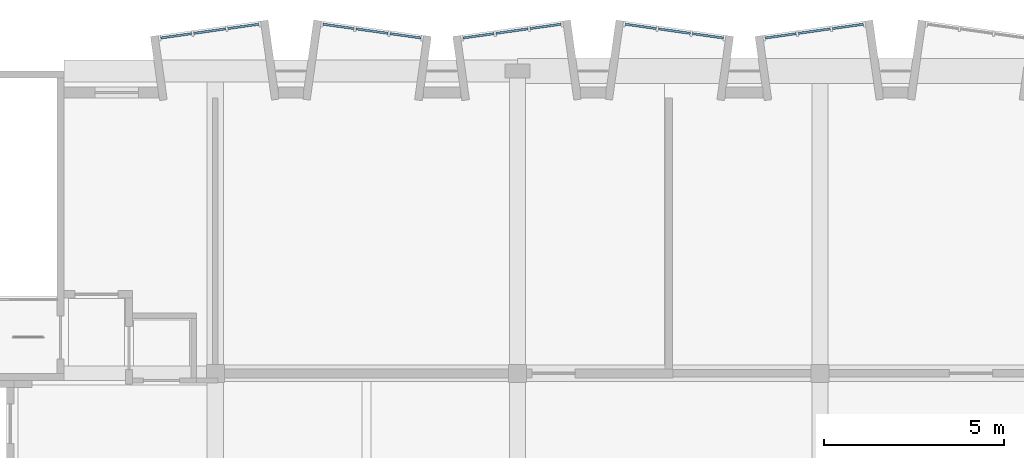
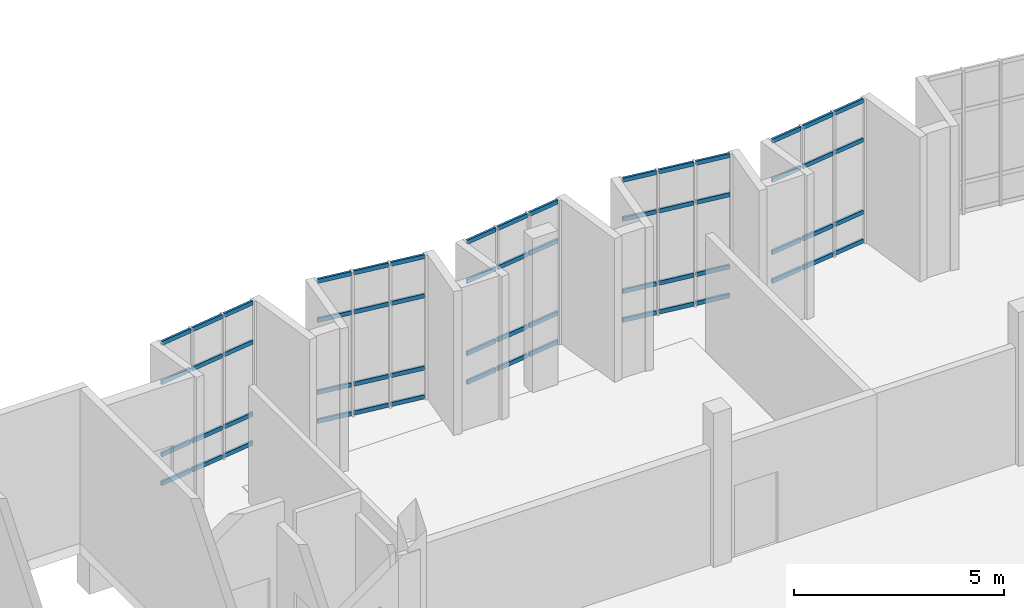
# One storey, part 6 of 15: 60 members, 5 elements without a shape of their own.
"""IFC4 building model written with IfcOpenShell, lengths in metres."""

from ifc_helpers import new_model, si_unit, direction, frame, origin, origin_2d, place, context, subcontext, project, spatial, rectangle, extrude, material, layer, layer_set, material_profile, profile_set, type_object, element, aggregate, save


model = new_model("IFC4")

# Units and contexts
model_context = context("Model", 3, precision=1e-05, world=origin(), true_north=direction((0.0, 1.0)))
body_context = subcontext(model_context, "Body", "Model", "MODEL_VIEW")
ifc_project = project(units=[si_unit("LENGTHUNIT", "METRE"), si_unit("AREAUNIT", "SQUARE_METRE"), si_unit("VOLUMEUNIT", "CUBIC_METRE"), si_unit("PLANEANGLEUNIT", "RADIAN"), si_unit("MASSUNIT", "GRAM", prefix="KILO")], contexts=[model_context])

# Site, building, storey
site_placement = place(None, origin())
site = spatial("IfcSite", under=ifc_project, at=site_placement, CompositionType="ELEMENT")
building_placement = place(site_placement, origin())
building = spatial("IfcBuilding", under=site, at=building_placement, Name="Kiln Court Media Centre", CompositionType="ELEMENT")
storey_placement = place(building_placement, frame((0.0, 0.0, 38.10009765625)))
storey = spatial("IfcBuildingStorey", under=building, at=storey_placement, Name="L08", CompositionType="ELEMENT", Elevation=38.10009765625)

# Curtain wall, members
ifc_material_1 = material(Name="Aluminium 6063-T6", Category="aluminium")
ifc_layer = layer(ifc_material_1, 0.1201171875)
ifc_layer_set = layer_set([ifc_layer], Name="Aluminium unitised bay curtain wall")
curtain_wall_type = type_object("IfcCurtainWallType", Name="Aluminium unitised bay curtain wall", PredefinedType="USERDEFINED", material=ifc_layer_set)
curtain_wall_1_placement = place(storey_placement, origin())
curtain_wall_1 = element("IfcCurtainWall", 1, at=curtain_wall_1_placement, inside=storey, type_object=curtain_wall_type, Name="BAY V6A-N-L08-53 front", ObjectType="UNITISED CURTAIN WALL", PredefinedType="USERDEFINED")
ifc_material_2 = material(Name="Aluminium 6063-T6", Category="aluminium")
ifc_material_profile = material_profile(ifc_material_2, rectangle(XDim=0.06005859375, YDim=0.1201171875, at=origin_2d()), Name="Aluminium transom 60x120")
ifc_profile_set = profile_set([ifc_material_profile], Name="Aluminium 6063-T6")
member_type = type_object("IfcMemberType", Name="Aluminium transom 60x120", PredefinedType="USERDEFINED", material=ifc_profile_set)
member_1_placement = place(storey_placement, frame((6.882568359375, 26.11767578125, 0.059814453125), z_axis=(0.990268108888, 0.139172815303, 0.0), x_axis=(-0.139172815303, 0.990268108888, 0.0)))
member_1 = element("IfcMember", 2, at=member_1_placement, type_object=member_type, Name="CW8-04 transom 1.1", ObjectType="TRANSOM", PredefinedType="USERDEFINED", context=body_context, shape_type="SweptSolid", body=[
    extrude(rectangle(XDim=0.06005859375, YDim=0.1201171875, at=origin_2d()), origin(), (0.0, 0.0, 1.0), 0.86669921875),
])
member_2_placement = place(storey_placement, frame((6.882568359375, 26.11767578125, 0.89990234375), z_axis=(0.990268108888, 0.139172815303, 0.0), x_axis=(-0.139172815303, 0.990268108888, 0.0)))
member_2 = element("IfcMember", 3, at=member_2_placement, type_object=member_type, Name="CW8-04 transom 1.2", ObjectType="TRANSOM", PredefinedType="USERDEFINED", context=body_context, shape_type="SweptSolid", body=[
    extrude(rectangle(XDim=0.06005859375, YDim=0.1201171875, at=origin_2d()), origin(), (0.0, 0.0, 1.0), 0.86669921875),
])
member_3_placement = place(storey_placement, frame((6.882568359375, 26.11767578125, 3.0), z_axis=(0.990268108888, 0.139172815303, 0.0), x_axis=(-0.139172815303, 0.990268108888, 0.0)))
member_3 = element("IfcMember", 4, at=member_3_placement, type_object=member_type, Name="CW8-04 transom 1.3", ObjectType="TRANSOM", PredefinedType="USERDEFINED", context=body_context, shape_type="SweptSolid", body=[
    extrude(rectangle(XDim=0.06005859375, YDim=0.1201171875, at=origin_2d()), origin(), (0.0, 0.0, 1.0), 0.86669921875),
])
member_4_placement = place(storey_placement, frame((6.882568359375, 26.11767578125, 4.139892578125), z_axis=(0.990268108888, 0.139172815303, 0.0), x_axis=(-0.139172815303, 0.990268108888, 0.0)))
member_4 = element("IfcMember", 5, at=member_4_placement, type_object=member_type, Name="CW8-04 transom 1.4", ObjectType="TRANSOM", PredefinedType="USERDEFINED", context=body_context, shape_type="SweptSolid", body=[
    extrude(rectangle(XDim=0.06005859375, YDim=0.1201171875, at=origin_2d()), origin(), (0.0, 0.0, 1.0), 0.86669921875),
])
member_5_placement = place(storey_placement, frame((7.80029296875, 26.246826171875, 0.059814453125), z_axis=(0.990273584723, 0.13913384707, 0.0), x_axis=(-0.13913384707, 0.990273584723, 0.0)))
member_5 = element("IfcMember", 6, at=member_5_placement, type_object=member_type, Name="CW8-04 transom 2.1", ObjectType="TRANSOM", PredefinedType="USERDEFINED", context=body_context, shape_type="SweptSolid", body=[
    extrude(rectangle(XDim=0.06005859375, YDim=0.1201171875, at=origin_2d()), origin(), (0.0, 0.0, 1.0), 0.896728515625),
])
member_6_placement = place(storey_placement, frame((7.80029296875, 26.246826171875, 0.89990234375), z_axis=(0.990273584723, 0.13913384707, 0.0), x_axis=(-0.13913384707, 0.990273584723, 0.0)))
member_6 = element("IfcMember", 7, at=member_6_placement, type_object=member_type, Name="CW8-04 transom 2.2", ObjectType="TRANSOM", PredefinedType="USERDEFINED", context=body_context, shape_type="SweptSolid", body=[
    extrude(rectangle(XDim=0.06005859375, YDim=0.1201171875, at=origin_2d()), origin(), (0.0, 0.0, 1.0), 0.896728515625),
])
member_7_placement = place(storey_placement, frame((7.80029296875, 26.246826171875, 3.0), z_axis=(0.990273584723, 0.13913384707, 0.0), x_axis=(-0.13913384707, 0.990273584723, 0.0)))
member_7 = element("IfcMember", 8, at=member_7_placement, type_object=member_type, Name="CW8-04 transom 2.3", ObjectType="TRANSOM", PredefinedType="USERDEFINED", context=body_context, shape_type="SweptSolid", body=[
    extrude(rectangle(XDim=0.06005859375, YDim=0.1201171875, at=origin_2d()), origin(), (0.0, 0.0, 1.0), 0.896728515625),
])
member_8_placement = place(storey_placement, frame((7.80029296875, 26.246826171875, 4.139892578125), z_axis=(0.990273584723, 0.13913384707, 0.0), x_axis=(-0.13913384707, 0.990273584723, 0.0)))
member_8 = element("IfcMember", 9, at=member_8_placement, type_object=member_type, Name="CW8-04 transom 2.4", ObjectType="TRANSOM", PredefinedType="USERDEFINED", context=body_context, shape_type="SweptSolid", body=[
    extrude(rectangle(XDim=0.06005859375, YDim=0.1201171875, at=origin_2d()), origin(), (0.0, 0.0, 1.0), 0.896728515625),
])
member_9_placement = place(storey_placement, frame((8.74755859375, 26.3798828125, 0.059814453125), z_axis=(0.990268108888, 0.139172815303, 0.0), x_axis=(-0.139172815303, 0.990268108888, 0.0)))
member_9 = element("IfcMember", 10, at=member_9_placement, type_object=member_type, Name="CW8-04 transom 3.1", ObjectType="TRANSOM", PredefinedType="USERDEFINED", context=body_context, shape_type="SweptSolid", body=[
    extrude(rectangle(XDim=0.06005859375, YDim=0.1201171875, at=origin_2d()), origin(), (0.0, 0.0, 1.0), 0.86669921875),
])
member_10_placement = place(storey_placement, frame((8.74755859375, 26.3798828125, 0.89990234375), z_axis=(0.990268108888, 0.139172815303, 0.0), x_axis=(-0.139172815303, 0.990268108888, 0.0)))
member_10 = element("IfcMember", 11, at=member_10_placement, type_object=member_type, Name="CW8-04 transom 3.2", ObjectType="TRANSOM", PredefinedType="USERDEFINED", context=body_context, shape_type="SweptSolid", body=[
    extrude(rectangle(XDim=0.06005859375, YDim=0.1201171875, at=origin_2d()), origin(), (0.0, 0.0, 1.0), 0.86669921875),
])
member_11_placement = place(storey_placement, frame((8.74755859375, 26.3798828125, 3.0), z_axis=(0.990268108888, 0.139172815303, 0.0), x_axis=(-0.139172815303, 0.990268108888, 0.0)))
member_11 = element("IfcMember", 12, at=member_11_placement, type_object=member_type, Name="CW8-04 transom 3.3", ObjectType="TRANSOM", PredefinedType="USERDEFINED", context=body_context, shape_type="SweptSolid", body=[
    extrude(rectangle(XDim=0.06005859375, YDim=0.1201171875, at=origin_2d()), origin(), (0.0, 0.0, 1.0), 0.86669921875),
])
member_12_placement = place(storey_placement, frame((8.74755859375, 26.3798828125, 4.139892578125), z_axis=(0.990268108888, 0.139172815303, 0.0), x_axis=(-0.139172815303, 0.990268108888, 0.0)))
member_12 = element("IfcMember", 13, at=member_12_placement, type_object=member_type, Name="CW8-04 transom 3.4", ObjectType="TRANSOM", PredefinedType="USERDEFINED", context=body_context, shape_type="SweptSolid", body=[
    extrude(rectangle(XDim=0.06005859375, YDim=0.1201171875, at=origin_2d()), origin(), (0.0, 0.0, 1.0), 0.86669921875),
])
aggregate(curtain_wall_1, [member_1, member_2, member_3, member_4, member_5, member_6, member_7, member_8, member_9, member_10, member_11, member_12])

curtain_wall_2_placement = place(storey_placement, origin())
curtain_wall_2 = element("IfcCurtainWall", 14, at=curtain_wall_2_placement, inside=storey, type_object=curtain_wall_type, Name="BAY V6A-N-L08-54 front", ObjectType="UNITISED CURTAIN WALL", PredefinedType="USERDEFINED")
member_13_placement = place(storey_placement, frame((11.394287109375, 26.50048828125, 0.059814453125), z_axis=(0.990268108888, -0.139172815303, 0.0), x_axis=(0.139172815303, 0.990268108888, 0.0)))
member_13 = element("IfcMember", 15, at=member_13_placement, type_object=member_type, Name="CW8-05 transom 1.1", ObjectType="TRANSOM", PredefinedType="USERDEFINED", context=body_context, shape_type="SweptSolid", body=[
    extrude(rectangle(XDim=0.06005859375, YDim=0.1201171875, at=origin_2d()), origin(), (0.0, 0.0, 1.0), 0.86669921875),
])
member_14_placement = place(storey_placement, frame((11.394287109375, 26.50048828125, 0.89990234375), z_axis=(0.990268108888, -0.139172815303, 0.0), x_axis=(0.139172815303, 0.990268108888, 0.0)))
member_14 = element("IfcMember", 16, at=member_14_placement, type_object=member_type, Name="CW8-05 transom 1.2", ObjectType="TRANSOM", PredefinedType="USERDEFINED", context=body_context, shape_type="SweptSolid", body=[
    extrude(rectangle(XDim=0.06005859375, YDim=0.1201171875, at=origin_2d()), origin(), (0.0, 0.0, 1.0), 0.86669921875),
])
member_15_placement = place(storey_placement, frame((11.394287109375, 26.50048828125, 3.0), z_axis=(0.990268108888, -0.139172815303, 0.0), x_axis=(0.139172815303, 0.990268108888, 0.0)))
member_15 = element("IfcMember", 17, at=member_15_placement, type_object=member_type, Name="CW8-05 transom 1.3", ObjectType="TRANSOM", PredefinedType="USERDEFINED", context=body_context, shape_type="SweptSolid", body=[
    extrude(rectangle(XDim=0.06005859375, YDim=0.1201171875, at=origin_2d()), origin(), (0.0, 0.0, 1.0), 0.86669921875),
])
member_16_placement = place(storey_placement, frame((11.394287109375, 26.50048828125, 4.139892578125), z_axis=(0.990268108888, -0.139172815303, 0.0), x_axis=(0.139172815303, 0.990268108888, 0.0)))
member_16 = element("IfcMember", 18, at=member_16_placement, type_object=member_type, Name="CW8-05 transom 1.4", ObjectType="TRANSOM", PredefinedType="USERDEFINED", context=body_context, shape_type="SweptSolid", body=[
    extrude(rectangle(XDim=0.06005859375, YDim=0.1201171875, at=origin_2d()), origin(), (0.0, 0.0, 1.0), 0.86669921875),
])
member_17_placement = place(storey_placement, frame((12.311767578125, 26.37158203125, 0.059814453125), z_axis=(0.990273584723, -0.13913384707, 0.0), x_axis=(0.13913384707, 0.990273584723, 0.0)))
member_17 = element("IfcMember", 19, at=member_17_placement, type_object=member_type, Name="CW8-05 transom 2.1", ObjectType="TRANSOM", PredefinedType="USERDEFINED", context=body_context, shape_type="SweptSolid", body=[
    extrude(rectangle(XDim=0.06005859375, YDim=0.1201171875, at=origin_2d()), origin(), (0.0, 0.0, 1.0), 0.896728515625),
])
member_18_placement = place(storey_placement, frame((12.311767578125, 26.37158203125, 0.89990234375), z_axis=(0.990273584723, -0.13913384707, 0.0), x_axis=(0.13913384707, 0.990273584723, 0.0)))
member_18 = element("IfcMember", 20, at=member_18_placement, type_object=member_type, Name="CW8-05 transom 2.2", ObjectType="TRANSOM", PredefinedType="USERDEFINED", context=body_context, shape_type="SweptSolid", body=[
    extrude(rectangle(XDim=0.06005859375, YDim=0.1201171875, at=origin_2d()), origin(), (0.0, 0.0, 1.0), 0.896728515625),
])
member_19_placement = place(storey_placement, frame((12.311767578125, 26.37158203125, 3.0), z_axis=(0.990273584723, -0.13913384707, 0.0), x_axis=(0.13913384707, 0.990273584723, 0.0)))
member_19 = element("IfcMember", 21, at=member_19_placement, type_object=member_type, Name="CW8-05 transom 2.3", ObjectType="TRANSOM", PredefinedType="USERDEFINED", context=body_context, shape_type="SweptSolid", body=[
    extrude(rectangle(XDim=0.06005859375, YDim=0.1201171875, at=origin_2d()), origin(), (0.0, 0.0, 1.0), 0.896728515625),
])
member_20_placement = place(storey_placement, frame((12.311767578125, 26.37158203125, 4.139892578125), z_axis=(0.990273584723, -0.13913384707, 0.0), x_axis=(0.13913384707, 0.990273584723, 0.0)))
member_20 = element("IfcMember", 22, at=member_20_placement, type_object=member_type, Name="CW8-05 transom 2.4", ObjectType="TRANSOM", PredefinedType="USERDEFINED", context=body_context, shape_type="SweptSolid", body=[
    extrude(rectangle(XDim=0.06005859375, YDim=0.1201171875, at=origin_2d()), origin(), (0.0, 0.0, 1.0), 0.896728515625),
])
member_21_placement = place(storey_placement, frame((13.25927734375, 26.23828125, 0.059814453125), z_axis=(0.990268108888, -0.139172815303, 0.0), x_axis=(0.139172815303, 0.990268108888, 0.0)))
member_21 = element("IfcMember", 23, at=member_21_placement, type_object=member_type, Name="CW8-05 transom 3.1", ObjectType="TRANSOM", PredefinedType="USERDEFINED", context=body_context, shape_type="SweptSolid", body=[
    extrude(rectangle(XDim=0.06005859375, YDim=0.1201171875, at=origin_2d()), origin(), (0.0, 0.0, 1.0), 0.86669921875),
])
member_22_placement = place(storey_placement, frame((13.25927734375, 26.23828125, 0.89990234375), z_axis=(0.990268108888, -0.139172815303, 0.0), x_axis=(0.139172815303, 0.990268108888, 0.0)))
member_22 = element("IfcMember", 24, at=member_22_placement, type_object=member_type, Name="CW8-05 transom 3.2", ObjectType="TRANSOM", PredefinedType="USERDEFINED", context=body_context, shape_type="SweptSolid", body=[
    extrude(rectangle(XDim=0.06005859375, YDim=0.1201171875, at=origin_2d()), origin(), (0.0, 0.0, 1.0), 0.86669921875),
])
member_23_placement = place(storey_placement, frame((13.25927734375, 26.23828125, 3.0), z_axis=(0.990268108888, -0.139172815303, 0.0), x_axis=(0.139172815303, 0.990268108888, 0.0)))
member_23 = element("IfcMember", 25, at=member_23_placement, type_object=member_type, Name="CW8-05 transom 3.3", ObjectType="TRANSOM", PredefinedType="USERDEFINED", context=body_context, shape_type="SweptSolid", body=[
    extrude(rectangle(XDim=0.06005859375, YDim=0.1201171875, at=origin_2d()), origin(), (0.0, 0.0, 1.0), 0.86669921875),
])
member_24_placement = place(storey_placement, frame((13.25927734375, 26.23828125, 4.139892578125), z_axis=(0.990268108888, -0.139172815303, 0.0), x_axis=(0.139172815303, 0.990268108888, 0.0)))
member_24 = element("IfcMember", 26, at=member_24_placement, type_object=member_type, Name="CW8-05 transom 3.4", ObjectType="TRANSOM", PredefinedType="USERDEFINED", context=body_context, shape_type="SweptSolid", body=[
    extrude(rectangle(XDim=0.06005859375, YDim=0.1201171875, at=origin_2d()), origin(), (0.0, 0.0, 1.0), 0.86669921875),
])
aggregate(curtain_wall_2, [member_13, member_14, member_15, member_16, member_17, member_18, member_19, member_20, member_21, member_22, member_23, member_24])

curtain_wall_3_placement = place(storey_placement, origin())
curtain_wall_3 = element("IfcCurtainWall", 27, at=curtain_wall_3_placement, inside=storey, type_object=curtain_wall_type, Name="BAY V6A-N-L08-55 front", ObjectType="UNITISED CURTAIN WALL", PredefinedType="USERDEFINED")
member_25_placement = place(storey_placement, frame((15.282470703125, 26.11767578125, 0.059814453125), z_axis=(0.990273563383, 0.139133998951, 0.0), x_axis=(-0.139133998951, 0.990273563383, 0.0)))
member_25 = element("IfcMember", 28, at=member_25_placement, type_object=member_type, Name="CW8-06 transom 1.1", ObjectType="TRANSOM", PredefinedType="USERDEFINED", context=body_context, shape_type="SweptSolid", body=[
    extrude(rectangle(XDim=0.06005859375, YDim=0.1201171875, at=origin_2d()), origin(), (0.0, 0.0, 1.0), 0.866943359375),
])
member_26_placement = place(storey_placement, frame((15.282470703125, 26.11767578125, 0.89990234375), z_axis=(0.990273563383, 0.139133998951, 0.0), x_axis=(-0.139133998951, 0.990273563383, 0.0)))
member_26 = element("IfcMember", 29, at=member_26_placement, type_object=member_type, Name="CW8-06 transom 1.2", ObjectType="TRANSOM", PredefinedType="USERDEFINED", context=body_context, shape_type="SweptSolid", body=[
    extrude(rectangle(XDim=0.06005859375, YDim=0.1201171875, at=origin_2d()), origin(), (0.0, 0.0, 1.0), 0.866943359375),
])
member_27_placement = place(storey_placement, frame((15.282470703125, 26.11767578125, 3.0), z_axis=(0.990273563383, 0.139133998951, 0.0), x_axis=(-0.139133998951, 0.990273563383, 0.0)))
member_27 = element("IfcMember", 30, at=member_27_placement, type_object=member_type, Name="CW8-06 transom 1.3", ObjectType="TRANSOM", PredefinedType="USERDEFINED", context=body_context, shape_type="SweptSolid", body=[
    extrude(rectangle(XDim=0.06005859375, YDim=0.1201171875, at=origin_2d()), origin(), (0.0, 0.0, 1.0), 0.866943359375),
])
member_28_placement = place(storey_placement, frame((15.282470703125, 26.11767578125, 4.139892578125), z_axis=(0.990273563383, 0.139133998951, 0.0), x_axis=(-0.139133998951, 0.990273563383, 0.0)))
member_28 = element("IfcMember", 31, at=member_28_placement, type_object=member_type, Name="CW8-06 transom 1.4", ObjectType="TRANSOM", PredefinedType="USERDEFINED", context=body_context, shape_type="SweptSolid", body=[
    extrude(rectangle(XDim=0.06005859375, YDim=0.1201171875, at=origin_2d()), origin(), (0.0, 0.0, 1.0), 0.866943359375),
])
member_29_placement = place(storey_placement, frame((16.2001953125, 26.246826171875, 0.059814453125), z_axis=(0.990273584723, 0.13913384707, 0.0), x_axis=(-0.13913384707, 0.990273584723, 0.0)))
member_29 = element("IfcMember", 32, at=member_29_placement, type_object=member_type, Name="CW8-06 transom 2.1", ObjectType="TRANSOM", PredefinedType="USERDEFINED", context=body_context, shape_type="SweptSolid", body=[
    extrude(rectangle(XDim=0.06005859375, YDim=0.1201171875, at=origin_2d()), origin(), (0.0, 0.0, 1.0), 0.896728515625),
])
member_30_placement = place(storey_placement, frame((16.2001953125, 26.246826171875, 0.89990234375), z_axis=(0.990273584723, 0.13913384707, 0.0), x_axis=(-0.13913384707, 0.990273584723, 0.0)))
member_30 = element("IfcMember", 33, at=member_30_placement, type_object=member_type, Name="CW8-06 transom 2.2", ObjectType="TRANSOM", PredefinedType="USERDEFINED", context=body_context, shape_type="SweptSolid", body=[
    extrude(rectangle(XDim=0.06005859375, YDim=0.1201171875, at=origin_2d()), origin(), (0.0, 0.0, 1.0), 0.896728515625),
])
member_31_placement = place(storey_placement, frame((16.2001953125, 26.246826171875, 3.0), z_axis=(0.990273584723, 0.13913384707, 0.0), x_axis=(-0.13913384707, 0.990273584723, 0.0)))
member_31 = element("IfcMember", 34, at=member_31_placement, type_object=member_type, Name="CW8-06 transom 2.3", ObjectType="TRANSOM", PredefinedType="USERDEFINED", context=body_context, shape_type="SweptSolid", body=[
    extrude(rectangle(XDim=0.06005859375, YDim=0.1201171875, at=origin_2d()), origin(), (0.0, 0.0, 1.0), 0.896728515625),
])
member_32_placement = place(storey_placement, frame((16.2001953125, 26.246826171875, 4.139892578125), z_axis=(0.990273584723, 0.13913384707, 0.0), x_axis=(-0.13913384707, 0.990273584723, 0.0)))
member_32 = element("IfcMember", 35, at=member_32_placement, type_object=member_type, Name="CW8-06 transom 2.4", ObjectType="TRANSOM", PredefinedType="USERDEFINED", context=body_context, shape_type="SweptSolid", body=[
    extrude(rectangle(XDim=0.06005859375, YDim=0.1201171875, at=origin_2d()), origin(), (0.0, 0.0, 1.0), 0.896728515625),
])
member_33_placement = place(storey_placement, frame((17.1474609375, 26.3798828125, 0.059814453125), z_axis=(0.990273563383, 0.139133998951, 0.0), x_axis=(-0.139133998951, 0.990273563383, 0.0)))
member_33 = element("IfcMember", 36, at=member_33_placement, type_object=member_type, Name="CW8-06 transom 3.1", ObjectType="TRANSOM", PredefinedType="USERDEFINED", context=body_context, shape_type="SweptSolid", body=[
    extrude(rectangle(XDim=0.06005859375, YDim=0.1201171875, at=origin_2d()), origin(), (0.0, 0.0, 1.0), 0.866943359375),
])
member_34_placement = place(storey_placement, frame((17.1474609375, 26.3798828125, 0.89990234375), z_axis=(0.990273563383, 0.139133998951, 0.0), x_axis=(-0.139133998951, 0.990273563383, 0.0)))
member_34 = element("IfcMember", 37, at=member_34_placement, type_object=member_type, Name="CW8-06 transom 3.2", ObjectType="TRANSOM", PredefinedType="USERDEFINED", context=body_context, shape_type="SweptSolid", body=[
    extrude(rectangle(XDim=0.06005859375, YDim=0.1201171875, at=origin_2d()), origin(), (0.0, 0.0, 1.0), 0.866943359375),
])
member_35_placement = place(storey_placement, frame((17.1474609375, 26.3798828125, 3.0), z_axis=(0.990273563383, 0.139133998951, 0.0), x_axis=(-0.139133998951, 0.990273563383, 0.0)))
member_35 = element("IfcMember", 38, at=member_35_placement, type_object=member_type, Name="CW8-06 transom 3.3", ObjectType="TRANSOM", PredefinedType="USERDEFINED", context=body_context, shape_type="SweptSolid", body=[
    extrude(rectangle(XDim=0.06005859375, YDim=0.1201171875, at=origin_2d()), origin(), (0.0, 0.0, 1.0), 0.866943359375),
])
member_36_placement = place(storey_placement, frame((17.1474609375, 26.3798828125, 4.139892578125), z_axis=(0.990273563383, 0.139133998951, 0.0), x_axis=(-0.139133998951, 0.990273563383, 0.0)))
member_36 = element("IfcMember", 39, at=member_36_placement, type_object=member_type, Name="CW8-06 transom 3.4", ObjectType="TRANSOM", PredefinedType="USERDEFINED", context=body_context, shape_type="SweptSolid", body=[
    extrude(rectangle(XDim=0.06005859375, YDim=0.1201171875, at=origin_2d()), origin(), (0.0, 0.0, 1.0), 0.866943359375),
])
aggregate(curtain_wall_3, [member_25, member_26, member_27, member_28, member_29, member_30, member_31, member_32, member_33, member_34, member_35, member_36])

curtain_wall_4_placement = place(storey_placement, origin())
curtain_wall_4 = element("IfcCurtainWall", 40, at=curtain_wall_4_placement, inside=storey, type_object=curtain_wall_type, Name="BAY V6A-N-L08-56 front", ObjectType="UNITISED CURTAIN WALL", PredefinedType="USERDEFINED")
member_37_placement = place(storey_placement, frame((19.794189453125, 26.50048828125, 0.059814453125), z_axis=(0.990268108888, -0.139172815303, 0.0), x_axis=(0.139172815303, 0.990268108888, 0.0)))
member_37 = element("IfcMember", 41, at=member_37_placement, type_object=member_type, Name="CW8-07 transom 1.1", ObjectType="TRANSOM", PredefinedType="USERDEFINED", context=body_context, shape_type="SweptSolid", body=[
    extrude(rectangle(XDim=0.06005859375, YDim=0.1201171875, at=origin_2d()), origin(), (0.0, 0.0, 1.0), 0.86669921875),
])
member_38_placement = place(storey_placement, frame((19.794189453125, 26.50048828125, 0.89990234375), z_axis=(0.990268108888, -0.139172815303, 0.0), x_axis=(0.139172815303, 0.990268108888, 0.0)))
member_38 = element("IfcMember", 42, at=member_38_placement, type_object=member_type, Name="CW8-07 transom 1.2", ObjectType="TRANSOM", PredefinedType="USERDEFINED", context=body_context, shape_type="SweptSolid", body=[
    extrude(rectangle(XDim=0.06005859375, YDim=0.1201171875, at=origin_2d()), origin(), (0.0, 0.0, 1.0), 0.86669921875),
])
member_39_placement = place(storey_placement, frame((19.794189453125, 26.50048828125, 3.0), z_axis=(0.990268108888, -0.139172815303, 0.0), x_axis=(0.139172815303, 0.990268108888, 0.0)))
member_39 = element("IfcMember", 43, at=member_39_placement, type_object=member_type, Name="CW8-07 transom 1.3", ObjectType="TRANSOM", PredefinedType="USERDEFINED", context=body_context, shape_type="SweptSolid", body=[
    extrude(rectangle(XDim=0.06005859375, YDim=0.1201171875, at=origin_2d()), origin(), (0.0, 0.0, 1.0), 0.86669921875),
])
member_40_placement = place(storey_placement, frame((19.794189453125, 26.50048828125, 4.139892578125), z_axis=(0.990268108888, -0.139172815303, 0.0), x_axis=(0.139172815303, 0.990268108888, 0.0)))
member_40 = element("IfcMember", 44, at=member_40_placement, type_object=member_type, Name="CW8-07 transom 1.4", ObjectType="TRANSOM", PredefinedType="USERDEFINED", context=body_context, shape_type="SweptSolid", body=[
    extrude(rectangle(XDim=0.06005859375, YDim=0.1201171875, at=origin_2d()), origin(), (0.0, 0.0, 1.0), 0.86669921875),
])
member_41_placement = place(storey_placement, frame((20.7119140625, 26.37158203125, 0.059814453125), z_axis=(0.990273584723, -0.13913384707, 0.0), x_axis=(0.13913384707, 0.990273584723, 0.0)))
member_41 = element("IfcMember", 45, at=member_41_placement, type_object=member_type, Name="CW8-07 transom 2.1", ObjectType="TRANSOM", PredefinedType="USERDEFINED", context=body_context, shape_type="SweptSolid", body=[
    extrude(rectangle(XDim=0.06005859375, YDim=0.1201171875, at=origin_2d()), origin(), (0.0, 0.0, 1.0), 0.896728515625),
])
member_42_placement = place(storey_placement, frame((20.7119140625, 26.37158203125, 0.89990234375), z_axis=(0.990273584723, -0.13913384707, 0.0), x_axis=(0.13913384707, 0.990273584723, 0.0)))
member_42 = element("IfcMember", 46, at=member_42_placement, type_object=member_type, Name="CW8-07 transom 2.2", ObjectType="TRANSOM", PredefinedType="USERDEFINED", context=body_context, shape_type="SweptSolid", body=[
    extrude(rectangle(XDim=0.06005859375, YDim=0.1201171875, at=origin_2d()), origin(), (0.0, 0.0, 1.0), 0.896728515625),
])
member_43_placement = place(storey_placement, frame((20.7119140625, 26.37158203125, 3.0), z_axis=(0.990273584723, -0.13913384707, 0.0), x_axis=(0.13913384707, 0.990273584723, 0.0)))
member_43 = element("IfcMember", 47, at=member_43_placement, type_object=member_type, Name="CW8-07 transom 2.3", ObjectType="TRANSOM", PredefinedType="USERDEFINED", context=body_context, shape_type="SweptSolid", body=[
    extrude(rectangle(XDim=0.06005859375, YDim=0.1201171875, at=origin_2d()), origin(), (0.0, 0.0, 1.0), 0.896728515625),
])
member_44_placement = place(storey_placement, frame((20.7119140625, 26.37158203125, 4.139892578125), z_axis=(0.990273584723, -0.13913384707, 0.0), x_axis=(0.13913384707, 0.990273584723, 0.0)))
member_44 = element("IfcMember", 48, at=member_44_placement, type_object=member_type, Name="CW8-07 transom 2.4", ObjectType="TRANSOM", PredefinedType="USERDEFINED", context=body_context, shape_type="SweptSolid", body=[
    extrude(rectangle(XDim=0.06005859375, YDim=0.1201171875, at=origin_2d()), origin(), (0.0, 0.0, 1.0), 0.896728515625),
])
member_45_placement = place(storey_placement, frame((21.6591796875, 26.23828125, 0.059814453125), z_axis=(0.990273563383, -0.139133998951, 0.0), x_axis=(0.139133998951, 0.990273563383, 0.0)))
member_45 = element("IfcMember", 49, at=member_45_placement, type_object=member_type, Name="CW8-07 transom 3.1", ObjectType="TRANSOM", PredefinedType="USERDEFINED", context=body_context, shape_type="SweptSolid", body=[
    extrude(rectangle(XDim=0.06005859375, YDim=0.1201171875, at=origin_2d()), origin(), (0.0, 0.0, 1.0), 0.866943359375),
])
member_46_placement = place(storey_placement, frame((21.6591796875, 26.23828125, 0.89990234375), z_axis=(0.990273563383, -0.139133998951, 0.0), x_axis=(0.139133998951, 0.990273563383, 0.0)))
member_46 = element("IfcMember", 50, at=member_46_placement, type_object=member_type, Name="CW8-07 transom 3.2", ObjectType="TRANSOM", PredefinedType="USERDEFINED", context=body_context, shape_type="SweptSolid", body=[
    extrude(rectangle(XDim=0.06005859375, YDim=0.1201171875, at=origin_2d()), origin(), (0.0, 0.0, 1.0), 0.866943359375),
])
member_47_placement = place(storey_placement, frame((21.6591796875, 26.23828125, 3.0), z_axis=(0.990273563383, -0.139133998951, 0.0), x_axis=(0.139133998951, 0.990273563383, 0.0)))
member_47 = element("IfcMember", 51, at=member_47_placement, type_object=member_type, Name="CW8-07 transom 3.3", ObjectType="TRANSOM", PredefinedType="USERDEFINED", context=body_context, shape_type="SweptSolid", body=[
    extrude(rectangle(XDim=0.06005859375, YDim=0.1201171875, at=origin_2d()), origin(), (0.0, 0.0, 1.0), 0.866943359375),
])
member_48_placement = place(storey_placement, frame((21.6591796875, 26.23828125, 4.139892578125), z_axis=(0.990273563383, -0.139133998951, 0.0), x_axis=(0.139133998951, 0.990273563383, 0.0)))
member_48 = element("IfcMember", 52, at=member_48_placement, type_object=member_type, Name="CW8-07 transom 3.4", ObjectType="TRANSOM", PredefinedType="USERDEFINED", context=body_context, shape_type="SweptSolid", body=[
    extrude(rectangle(XDim=0.06005859375, YDim=0.1201171875, at=origin_2d()), origin(), (0.0, 0.0, 1.0), 0.866943359375),
])
aggregate(curtain_wall_4, [member_37, member_38, member_39, member_40, member_41, member_42, member_43, member_44, member_45, member_46, member_47, member_48])

curtain_wall_5_placement = place(storey_placement, origin())
curtain_wall_5 = element("IfcCurtainWall", 53, at=curtain_wall_5_placement, inside=storey, type_object=curtain_wall_type, Name="BAY V6A-N-L08-57 front", ObjectType="UNITISED CURTAIN WALL", PredefinedType="USERDEFINED")
member_49_placement = place(storey_placement, frame((23.6826171875, 26.11767578125, 0.059814453125), z_axis=(0.990268108888, 0.139172815303, 0.0), x_axis=(-0.139172815303, 0.990268108888, 0.0)))
member_49 = element("IfcMember", 54, at=member_49_placement, type_object=member_type, Name="CW8-08 transom 1.1", ObjectType="TRANSOM", PredefinedType="USERDEFINED", context=body_context, shape_type="SweptSolid", body=[
    extrude(rectangle(XDim=0.06005859375, YDim=0.1201171875, at=origin_2d()), origin(), (0.0, 0.0, 1.0), 0.86669921875),
])
member_50_placement = place(storey_placement, frame((23.6826171875, 26.11767578125, 0.89990234375), z_axis=(0.990268108888, 0.139172815303, 0.0), x_axis=(-0.139172815303, 0.990268108888, 0.0)))
member_50 = element("IfcMember", 55, at=member_50_placement, type_object=member_type, Name="CW8-08 transom 1.2", ObjectType="TRANSOM", PredefinedType="USERDEFINED", context=body_context, shape_type="SweptSolid", body=[
    extrude(rectangle(XDim=0.06005859375, YDim=0.1201171875, at=origin_2d()), origin(), (0.0, 0.0, 1.0), 0.86669921875),
])
member_51_placement = place(storey_placement, frame((23.6826171875, 26.11767578125, 3.0), z_axis=(0.990268108888, 0.139172815303, 0.0), x_axis=(-0.139172815303, 0.990268108888, 0.0)))
member_51 = element("IfcMember", 56, at=member_51_placement, type_object=member_type, Name="CW8-08 transom 1.3", ObjectType="TRANSOM", PredefinedType="USERDEFINED", context=body_context, shape_type="SweptSolid", body=[
    extrude(rectangle(XDim=0.06005859375, YDim=0.1201171875, at=origin_2d()), origin(), (0.0, 0.0, 1.0), 0.86669921875),
])
member_52_placement = place(storey_placement, frame((23.6826171875, 26.11767578125, 4.139892578125), z_axis=(0.990268108888, 0.139172815303, 0.0), x_axis=(-0.139172815303, 0.990268108888, 0.0)))
member_52 = element("IfcMember", 57, at=member_52_placement, type_object=member_type, Name="CW8-08 transom 1.4", ObjectType="TRANSOM", PredefinedType="USERDEFINED", context=body_context, shape_type="SweptSolid", body=[
    extrude(rectangle(XDim=0.06005859375, YDim=0.1201171875, at=origin_2d()), origin(), (0.0, 0.0, 1.0), 0.86669921875),
])
member_53_placement = place(storey_placement, frame((24.60009765625, 26.246826171875, 0.059814453125), z_axis=(0.990273584723, 0.13913384707, 0.0), x_axis=(-0.13913384707, 0.990273584723, 0.0)))
member_53 = element("IfcMember", 58, at=member_53_placement, type_object=member_type, Name="CW8-08 transom 2.1", ObjectType="TRANSOM", PredefinedType="USERDEFINED", context=body_context, shape_type="SweptSolid", body=[
    extrude(rectangle(XDim=0.06005859375, YDim=0.1201171875, at=origin_2d()), origin(), (0.0, 0.0, 1.0), 0.896728515625),
])
member_54_placement = place(storey_placement, frame((24.60009765625, 26.246826171875, 0.89990234375), z_axis=(0.990273584723, 0.13913384707, 0.0), x_axis=(-0.13913384707, 0.990273584723, 0.0)))
member_54 = element("IfcMember", 59, at=member_54_placement, type_object=member_type, Name="CW8-08 transom 2.2", ObjectType="TRANSOM", PredefinedType="USERDEFINED", context=body_context, shape_type="SweptSolid", body=[
    extrude(rectangle(XDim=0.06005859375, YDim=0.1201171875, at=origin_2d()), origin(), (0.0, 0.0, 1.0), 0.896728515625),
])
member_55_placement = place(storey_placement, frame((24.60009765625, 26.246826171875, 3.0), z_axis=(0.990273584723, 0.13913384707, 0.0), x_axis=(-0.13913384707, 0.990273584723, 0.0)))
member_55 = element("IfcMember", 60, at=member_55_placement, type_object=member_type, Name="CW8-08 transom 2.3", ObjectType="TRANSOM", PredefinedType="USERDEFINED", context=body_context, shape_type="SweptSolid", body=[
    extrude(rectangle(XDim=0.06005859375, YDim=0.1201171875, at=origin_2d()), origin(), (0.0, 0.0, 1.0), 0.896728515625),
])
member_56_placement = place(storey_placement, frame((24.60009765625, 26.246826171875, 4.139892578125), z_axis=(0.990273584723, 0.13913384707, 0.0), x_axis=(-0.13913384707, 0.990273584723, 0.0)))
member_56 = element("IfcMember", 61, at=member_56_placement, type_object=member_type, Name="CW8-08 transom 2.4", ObjectType="TRANSOM", PredefinedType="USERDEFINED", context=body_context, shape_type="SweptSolid", body=[
    extrude(rectangle(XDim=0.06005859375, YDim=0.1201171875, at=origin_2d()), origin(), (0.0, 0.0, 1.0), 0.896728515625),
])
member_57_placement = place(storey_placement, frame((25.547607421875, 26.3798828125, 0.059814453125), z_axis=(0.990268108888, 0.139172815303, 0.0), x_axis=(-0.139172815303, 0.990268108888, 0.0)))
member_57 = element("IfcMember", 62, at=member_57_placement, type_object=member_type, Name="CW8-08 transom 3.1", ObjectType="TRANSOM", PredefinedType="USERDEFINED", context=body_context, shape_type="SweptSolid", body=[
    extrude(rectangle(XDim=0.06005859375, YDim=0.1201171875, at=origin_2d()), origin(), (0.0, 0.0, 1.0), 0.86669921875),
])
member_58_placement = place(storey_placement, frame((25.547607421875, 26.3798828125, 0.89990234375), z_axis=(0.990268108888, 0.139172815303, 0.0), x_axis=(-0.139172815303, 0.990268108888, 0.0)))
member_58 = element("IfcMember", 63, at=member_58_placement, type_object=member_type, Name="CW8-08 transom 3.2", ObjectType="TRANSOM", PredefinedType="USERDEFINED", context=body_context, shape_type="SweptSolid", body=[
    extrude(rectangle(XDim=0.06005859375, YDim=0.1201171875, at=origin_2d()), origin(), (0.0, 0.0, 1.0), 0.86669921875),
])
member_59_placement = place(storey_placement, frame((25.547607421875, 26.3798828125, 3.0), z_axis=(0.990268108888, 0.139172815303, 0.0), x_axis=(-0.139172815303, 0.990268108888, 0.0)))
member_59 = element("IfcMember", 64, at=member_59_placement, type_object=member_type, Name="CW8-08 transom 3.3", ObjectType="TRANSOM", PredefinedType="USERDEFINED", context=body_context, shape_type="SweptSolid", body=[
    extrude(rectangle(XDim=0.06005859375, YDim=0.1201171875, at=origin_2d()), origin(), (0.0, 0.0, 1.0), 0.86669921875),
])
member_60_placement = place(storey_placement, frame((25.547607421875, 26.3798828125, 4.139892578125), z_axis=(0.990268108888, 0.139172815303, 0.0), x_axis=(-0.139172815303, 0.990268108888, 0.0)))
member_60 = element("IfcMember", 65, at=member_60_placement, type_object=member_type, Name="CW8-08 transom 3.4", ObjectType="TRANSOM", PredefinedType="USERDEFINED", context=body_context, shape_type="SweptSolid", body=[
    extrude(rectangle(XDim=0.06005859375, YDim=0.1201171875, at=origin_2d()), origin(), (0.0, 0.0, 1.0), 0.86669921875),
])
aggregate(curtain_wall_5, [member_49, member_50, member_51, member_52, member_53, member_54, member_55, member_56, member_57, member_58, member_59, member_60])

save(model, "model.ifc")
